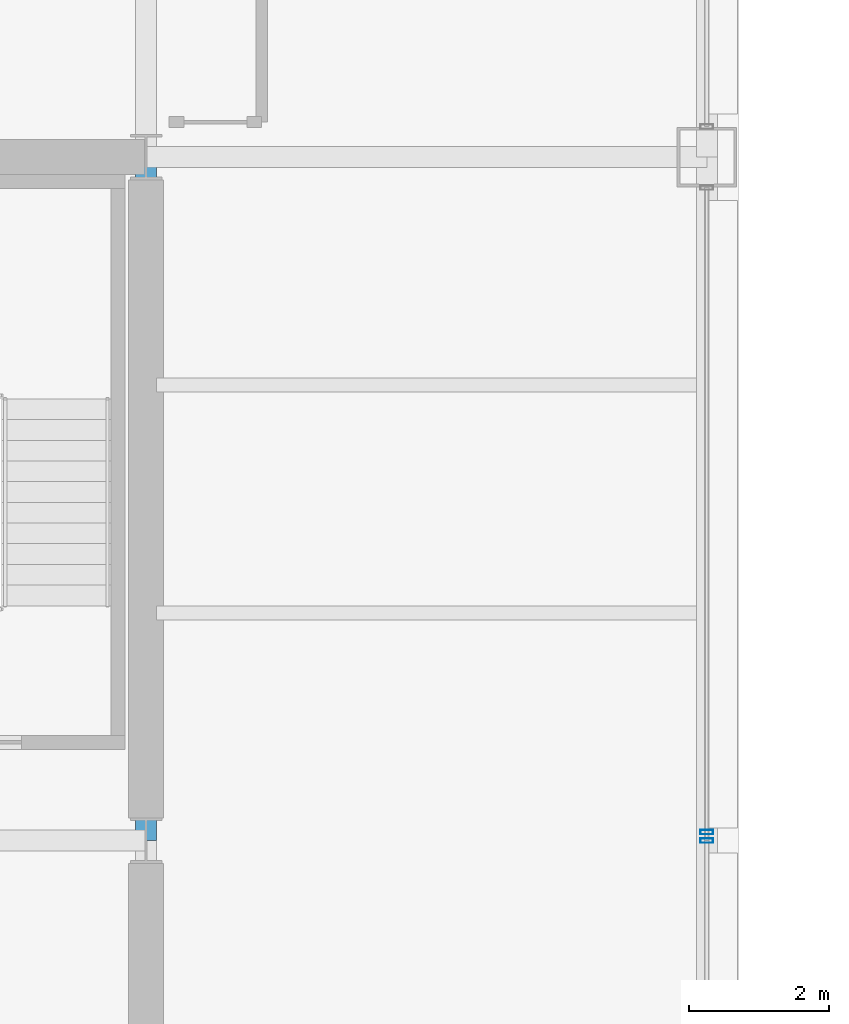
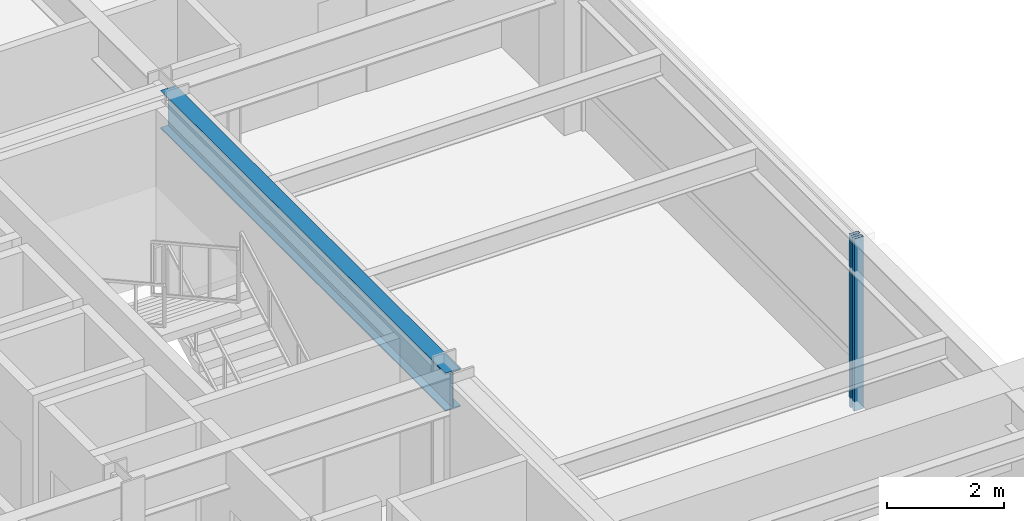
# One storey, part 14 of 28: 2 members, 1 beam, 2 elements without a shape of their own.
"""IFC4 building model written with IfcOpenShell, lengths in metres."""

from ifc_helpers import new_model, si_unit, direction, frame, origin, origin_2d, place, context, subcontext, project, spatial, hollow_rectangle, i_section, extrude, material, layer, layer_set, material_profile, profile_set, type_object, element, aggregate, save


model = new_model("IFC4")

# Units and contexts
model_context = context("Model", 3, precision=1e-05, world=origin(), true_north=direction((0.0, 1.0)))
body_context = subcontext(model_context, "Body", "Model", "MODEL_VIEW")
ifc_project = project(units=[si_unit("LENGTHUNIT", "METRE"), si_unit("AREAUNIT", "SQUARE_METRE"), si_unit("VOLUMEUNIT", "CUBIC_METRE"), si_unit("PLANEANGLEUNIT", "RADIAN"), si_unit("MASSUNIT", "GRAM", prefix="KILO")], contexts=[model_context])

# Site, building, storey
site_placement = place(None, origin())
site = spatial("IfcSite", under=ifc_project, at=site_placement, CompositionType="ELEMENT")
building_placement = place(site_placement, origin())
building = spatial("IfcBuilding", under=site, at=building_placement, Name="Brelmoor Portico Tower", CompositionType="ELEMENT")
storey_placement = place(building_placement, frame((0.0, 0.0, 91.800048828125)))
storey = spatial("IfcBuildingStorey", under=building, at=storey_placement, Name="L23", CompositionType="ELEMENT", Elevation=91.800048828125)

# Beam
ifc_material_1 = material(Name="Steel Q355B", Category="steel")
ifc_material_profile_1 = material_profile(ifc_material_1, i_section(OverallWidth=0.300048828125, OverallDepth=0.800048828125, WebThickness=0.013916015625, FlangeThickness=0.02587890625, at=origin_2d()), Name="HN 800x300x14x26")
ifc_profile_set_1 = profile_set([ifc_material_profile_1], Name="Steel Q355B")
beam_type = type_object("IfcBeamType", Name="BM-PG-800", PredefinedType="BEAM", material=ifc_profile_set_1)
beam_placement = place(storey_placement, frame((14.550048828125, 0.0, 3.0), z_axis=(0.0, 1.0, 0.0), x_axis=(-1.0, 0.0, 0.0)))
element("IfcBeam", 1, at=beam_placement, inside=storey, type_object=beam_type, Name="L23 Primary Floor Girder PG-11", PredefinedType="BEAM", context=body_context, shape_type="SweptSolid", body=[
    extrude(i_section(OverallWidth=0.300048828125, OverallDepth=0.800048828125, WebThickness=0.013916015625, FlangeThickness=0.02587890625, at=origin_2d()), origin(), (0.0, 0.0, 1.0), 9.75),
])

# Curtain wall, member
ifc_material_2 = material(Name="Anodised Aluminium Alloy 6063-T6", Category="aluminium")
ifc_layer_1 = layer(ifc_material_2, 0.179931640625)
ifc_layer_set_1 = layer_set([ifc_layer_1], Name="Anodised Aluminium Alloy 6063-T6")
curtain_wall_type_1 = type_object("IfcCurtainWallType", Name="CW-TOWER-Z2-XB", PredefinedType="NOTDEFINED", material=ifc_layer_set_1)
curtain_wall_1_placement = place(storey_placement, origin())
curtain_wall_1 = element("IfcCurtainWall", 2, at=curtain_wall_1_placement, inside=storey, type_object=curtain_wall_type_1, Name="L23 Curtain Wall CW-L23-04-2a", PredefinedType="NOTDEFINED")
ifc_material_profile_2 = material_profile(ifc_material_2, hollow_rectangle(XDim=0.06494140625, YDim=0.179931640625, WallThickness=0.00390625, at=origin_2d()), Name="ALU MULLION 65x180")
ifc_profile_set_2 = profile_set([ifc_material_profile_2], Name="Anodised Aluminium Alloy 6063-T6")
member_type = type_object("IfcMemberType", Name="MB-CW-MULL-180", PredefinedType="MULLION", material=ifc_profile_set_2)
member_1_placement = place(storey_placement, frame((22.550048828125, 0.0, -0.199951171875), z_axis=(0.0, 0.0, 1.0), x_axis=(0.0, 1.0, 0.0)))
member_1 = element("IfcMember", 3, at=member_1_placement, type_object=member_type, Name="CW-L23-04-2a Mullion 01", PredefinedType="MULLION", context=body_context, shape_type="SweptSolid", body=[
    extrude(hollow_rectangle(XDim=0.06494140625, YDim=0.179931640625, WallThickness=0.00390625, at=origin_2d()), origin(), (0.0, 0.0, 1.0), 3.599853515625),
])
aggregate(curtain_wall_1, [member_1])

ifc_layer_2 = layer(ifc_material_2, 0.179931640625)
ifc_layer_set_2 = layer_set([ifc_layer_2], Name="Anodised Aluminium Alloy 6063-T6")
curtain_wall_type_2 = type_object("IfcCurtainWallType", Name="CW-TOWER-Z2", PredefinedType="NOTDEFINED", material=ifc_layer_set_2)
curtain_wall_2_placement = place(storey_placement, origin())
curtain_wall_2 = element("IfcCurtainWall", 4, at=curtain_wall_2_placement, inside=storey, type_object=curtain_wall_type_2, Name="L23 Curtain Wall CW-L23-04-2b", PredefinedType="NOTDEFINED")
member_2_placement = place(storey_placement, frame((22.550048828125, 0.1201171875, -0.199951171875), z_axis=(0.0, 0.0, 1.0), x_axis=(0.0, 1.0, 0.0)))
member_2 = element("IfcMember", 5, at=member_2_placement, type_object=member_type, Name="CW-L23-04-2b Mullion 00", PredefinedType="MULLION", context=body_context, shape_type="SweptSolid", body=[
    extrude(hollow_rectangle(XDim=0.06494140625, YDim=0.179931640625, WallThickness=0.00390625, at=origin_2d()), origin(), (0.0, 0.0, 1.0), 3.599853515625),
])
aggregate(curtain_wall_2, [member_2])

save(model, "model.ifc")
